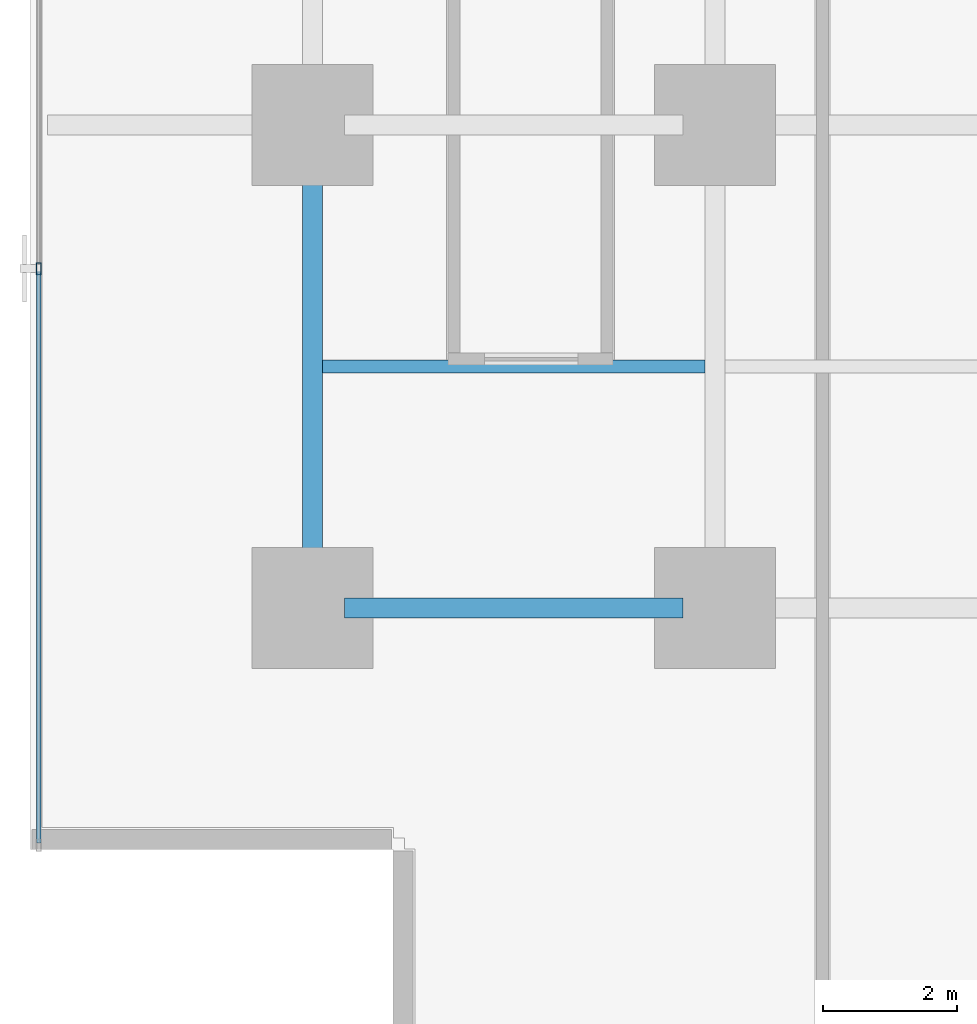
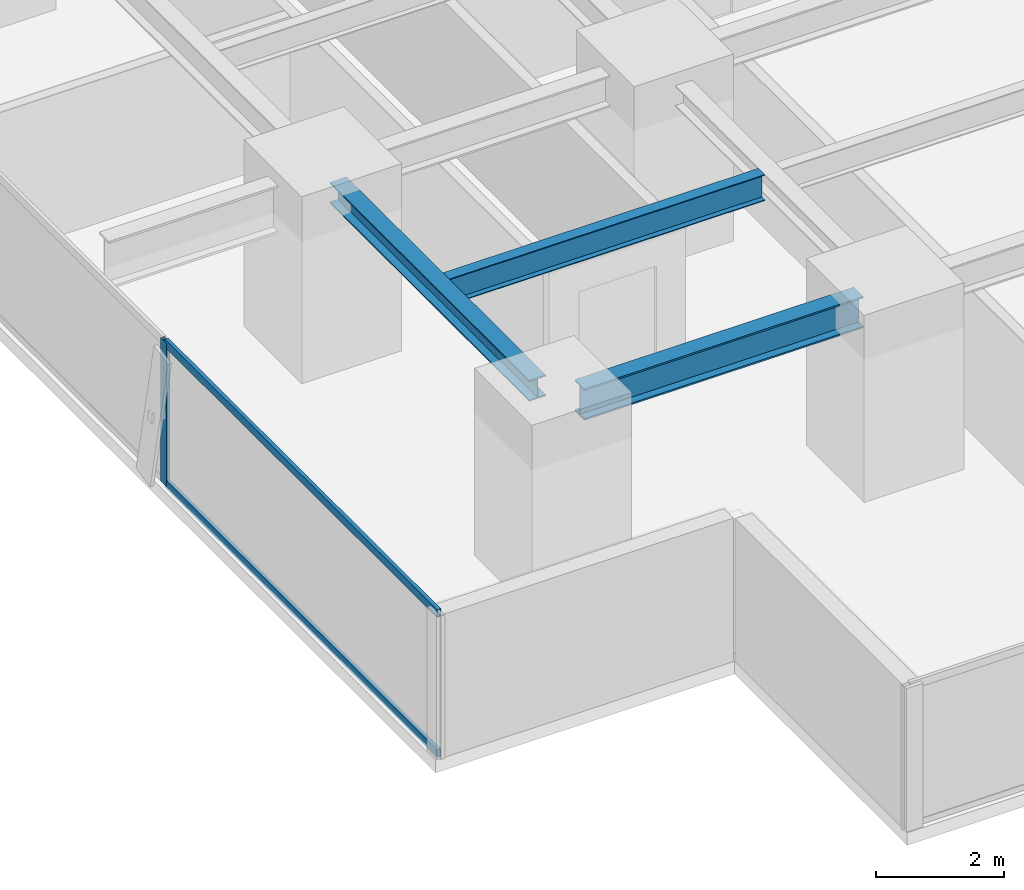
# One storey, part 3 of 33: 3 beams, 3 members, 1 element without a shape of its own.
"""IFC4 building model written with IfcOpenShell, lengths in metres."""

from ifc_helpers import new_model, si_unit, direction, frame, origin, origin_2d, place, context, subcontext, project, spatial, hollow_rectangle, i_section, extrude, source, transform, mapped, material, layer, layer_set, material_profile, profile_set, type_object, element, aggregate, save


model = new_model("IFC4")

# Units and contexts
model_context = context("Model", 3, precision=1e-05, world=origin(), true_north=direction((0.0, 1.0)))
body_context = subcontext(model_context, "Body", "Model", "MODEL_VIEW")
ifc_project = project(units=[si_unit("LENGTHUNIT", "METRE"), si_unit("AREAUNIT", "SQUARE_METRE"), si_unit("VOLUMEUNIT", "CUBIC_METRE"), si_unit("PLANEANGLEUNIT", "RADIAN"), si_unit("MASSUNIT", "GRAM", prefix="KILO")], contexts=[model_context])

# Site, building, storey
site_placement = place(None, origin())
site = spatial("IfcSite", under=ifc_project, at=site_placement, CompositionType="ELEMENT")
building_placement = place(site_placement, origin())
building = spatial("IfcBuilding", under=site, at=building_placement, Name="Sumidabori Civic Tower", CompositionType="ELEMENT")
storey_placement = place(building_placement, frame((0.0, 0.0, 63.199951171875)))
storey = spatial("IfcBuildingStorey", under=building, at=storey_placement, Name="L16", CompositionType="ELEMENT", Elevation=63.199951171875)

# Beams
ifc_material_1 = material(Name="Steel SN490", Category="steel")
ifc_material_profile_1 = material_profile(ifc_material_1, i_section(OverallWidth=0.300048828125, OverallDepth=0.60009765625, WebThickness=0.015380859375, FlangeThickness=0.030029296875, at=origin_2d()), Name="HE 600 B")
ifc_profile_set_1 = profile_set([ifc_material_profile_1], Name="Steel SN490")
beam_type_1 = type_object("IfcBeamType", Name="BM-GIRD-600", PredefinedType="BEAM", material=ifc_profile_set_1)
shared_shape_1 = source(origin(), body_context, "Body", "SweptSolid", [
    extrude(i_section(OverallWidth=0.300048828125, OverallDepth=0.60009765625, WebThickness=0.015380859375, FlangeThickness=0.030029296875, at=origin_2d()), origin(), (0.0, 0.0, 1.0), 5.0400390625),
])
beam_1_placement = place(storey_placement, frame((-22.320068359375, -18.0, 3.06005859375), z_axis=(1.0, 0.0, 0.0), x_axis=(0.0, 1.0, 0.0)))
element("IfcBeam", 1, at=beam_1_placement, inside=storey, type_object=beam_type_1, Name="Primary Girder L16 GX-01", PredefinedType="BEAM", context=body_context, shape_type="MappedRepresentation", body=[
    mapped(shared_shape_1, transform((0.0, 0.0, 0.0), x_axis=(1.0, 0.0, 0.0), y_axis=(0.0, 1.0, 0.0), z_axis=(0.0, 0.0, 1.0), scale=1.0)),
])
ifc_material_profile_2 = material_profile(ifc_material_1, i_section(OverallWidth=0.300048828125, OverallDepth=0.39990234375, WebThickness=0.013427734375, FlangeThickness=0.02392578125, at=origin_2d()), Name="HE 400 B")
ifc_profile_set_2 = profile_set([ifc_material_profile_2], Name="Steel SN490")
beam_type_2 = type_object("IfcBeamType", Name="BM-GIRD-400", PredefinedType="BEAM", material=ifc_profile_set_2)
shared_shape_2 = source(origin(), body_context, "Body", "SweptSolid", [
    extrude(i_section(OverallWidth=0.300048828125, OverallDepth=0.39990234375, WebThickness=0.013427734375, FlangeThickness=0.02392578125, at=origin_2d()), origin(), (0.0, 0.0, 1.0), 6.239990234375),
])
beam_2_placement = place(storey_placement, frame((-22.800048828125, -17.52001953125, 3.16015625), z_axis=(0.0, 1.0, 0.0), x_axis=(-1.0, 0.0, 0.0)))
element("IfcBeam", 2, at=beam_2_placement, inside=storey, type_object=beam_type_2, Name="Primary Girder L16 GY-21", PredefinedType="BEAM", context=body_context, shape_type="MappedRepresentation", body=[
    mapped(shared_shape_2, transform((0.0, 0.0, 0.0), x_axis=(1.0, 0.0, 0.0), y_axis=(0.0, 1.0, 0.0), z_axis=(0.0, 0.0, 1.0), scale=1.0)),
])
ifc_material_profile_3 = material_profile(ifc_material_1, i_section(OverallWidth=0.199951171875, OverallDepth=0.5, WebThickness=0.01025390625, FlangeThickness=0.01611328125, at=origin_2d()), Name="IPE 500")
ifc_profile_set_3 = profile_set([ifc_material_profile_3], Name="Steel SN490")
beam_type_3 = type_object("IfcBeamType", Name="BM-JST-500", PredefinedType="JOIST", material=ifc_profile_set_3)
shared_shape_3 = source(origin(), body_context, "Body", "SweptSolid", [
    extrude(i_section(OverallWidth=0.199951171875, OverallDepth=0.5, WebThickness=0.01025390625, FlangeThickness=0.01611328125, at=origin_2d()), origin(), (0.0, 0.0, 1.0), 5.699951171875),
])
beam_3_placement = place(storey_placement, frame((-22.64990234375, -14.39990234375, 3.110107421875), z_axis=(1.0, 0.0, 0.0), x_axis=(0.0, 1.0, 0.0)))
element("IfcBeam", 3, at=beam_3_placement, inside=storey, type_object=beam_type_3, Name="Outer Bay Floor Joist L16 JSTO-57", PredefinedType="JOIST", context=body_context, shape_type="MappedRepresentation", body=[
    mapped(shared_shape_3, transform((0.0, 0.0, 0.0), x_axis=(1.0, 0.0, 0.0), y_axis=(0.0, 1.0, 0.0), z_axis=(0.0, 0.0, 1.0), scale=1.0)),
])

# Curtain wall, members
ifc_material_2 = material(Name="Anodised Bronze Aluminium AW-6063-T6", Category="aluminium")
ifc_layer = layer(ifc_material_2, 0.179931640625, Name="Anodised Bronze Aluminium AW-6063-T6")
ifc_layer_set = layer_set([ifc_layer], Name="Anodised Bronze Aluminium AW-6063-T6")
curtain_wall_type = type_object("IfcCurtainWallType", Name="CW-SYS-2", PredefinedType="NOTDEFINED", material=ifc_layer_set)
curtain_wall_placement = place(storey_placement, origin())
curtain_wall = element("IfcCurtainWall", 4, at=curtain_wall_placement, inside=storey, type_object=curtain_wall_type, Name="Curtain Wall CW:L16:R10", PredefinedType="NOTDEFINED")
ifc_material_profile_4 = material_profile(ifc_material_2, hollow_rectangle(XDim=0.070068359375, YDim=0.179931640625, WallThickness=0.006103515625, at=origin_2d()), Name="ALU MULLION 180x70")
ifc_profile_set_4 = profile_set([ifc_material_profile_4], Name="Anodised Bronze Aluminium AW-6063-T6")
member_type_1 = type_object("IfcMemberType", Name="CW-MUL-180", PredefinedType="MULLION", material=ifc_profile_set_4)
shared_shape_4 = source(origin(), body_context, "Body", "SweptSolid", [
    extrude(hollow_rectangle(XDim=0.070068359375, YDim=0.179931640625, WallThickness=0.006103515625, at=origin_2d()), origin(), (0.0, 0.0, 1.0), 2.739990234375),
])
member_1_placement = place(storey_placement, frame((-26.8798828125, -12.94189453125, 0.0), z_axis=(0.0, 0.0, 1.0), x_axis=(1.0, 0.0, 0.0)))
member_1 = element("IfcMember", 5, at=member_1_placement, type_object=member_type_1, Name="CW-2 mullion 5", PredefinedType="MULLION", context=body_context, shape_type="MappedRepresentation", body=[
    mapped(shared_shape_4, transform((0.0, 0.0, 0.0), x_axis=(1.0, 0.0, 0.0), y_axis=(0.0, 1.0, 0.0), z_axis=(0.0, 0.0, 1.0), scale=1.0)),
])
ifc_material_profile_5 = material_profile(ifc_material_2, hollow_rectangle(XDim=0.06494140625, YDim=0.14990234375, WallThickness=0.0048828125, at=origin_2d()), Name="ALU TRANSOM 150x65")
ifc_profile_set_5 = profile_set([ifc_material_profile_5], Name="Anodised Bronze Aluminium AW-6063-T6")
member_type_2 = type_object("IfcMemberType", Name="CW-TRN-150", PredefinedType="USERDEFINED", material=ifc_profile_set_5)
shared_shape_5 = source(origin(), body_context, "Body", "SweptSolid", [
    extrude(hollow_rectangle(XDim=0.06494140625, YDim=0.14990234375, WallThickness=0.0048828125, at=origin_2d()), origin(), (0.0, 0.0, 1.0), 8.52294921875),
])
member_2_placement = place(storey_placement, frame((-26.8798828125, -12.97705078125, 0.032470703125), z_axis=(0.0, -1.0, 0.0), x_axis=(1.0, 0.0, 0.0)))
member_2 = element("IfcMember", 6, at=member_2_placement, type_object=member_type_2, Name="CW-2 transom 5.1", ObjectType="TRANSOM", PredefinedType="USERDEFINED", context=body_context, shape_type="MappedRepresentation", body=[
    mapped(shared_shape_5, transform((0.0, 0.0, 0.0), x_axis=(1.0, 0.0, 0.0), y_axis=(0.0, 1.0, 0.0), z_axis=(0.0, 0.0, 1.0), scale=1.0)),
])
member_3_placement = place(storey_placement, frame((-26.8798828125, -12.97705078125, 2.70751953125), z_axis=(0.0, -1.0, 0.0), x_axis=(1.0, 0.0, 0.0)))
member_3 = element("IfcMember", 7, at=member_3_placement, type_object=member_type_2, Name="CW-2 transom 5.2", ObjectType="TRANSOM", PredefinedType="USERDEFINED", context=body_context, shape_type="MappedRepresentation", body=[
    mapped(shared_shape_5, transform((0.0, 0.0, 0.0), x_axis=(1.0, 0.0, 0.0), y_axis=(0.0, 1.0, 0.0), z_axis=(0.0, 0.0, 1.0), scale=1.0)),
])
aggregate(curtain_wall, [member_1, member_2, member_3])

save(model, "model.ifc")
